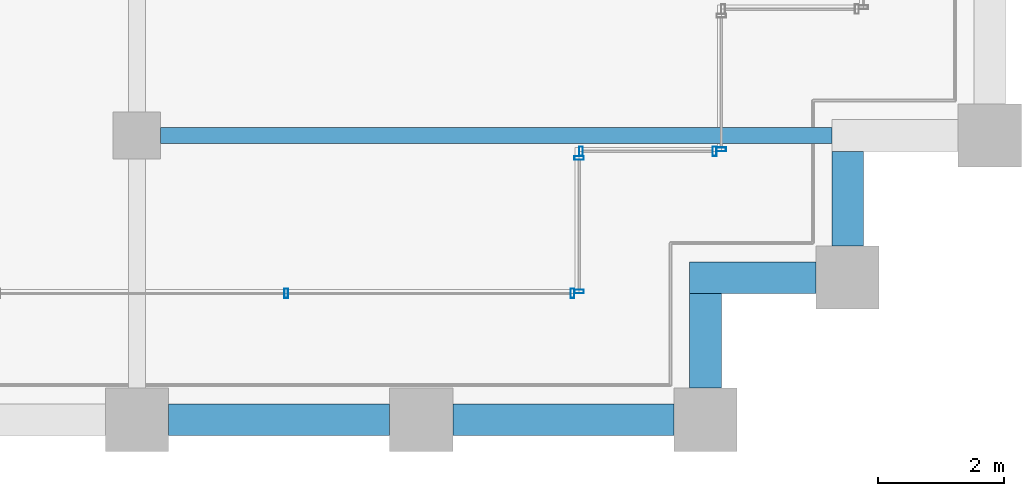
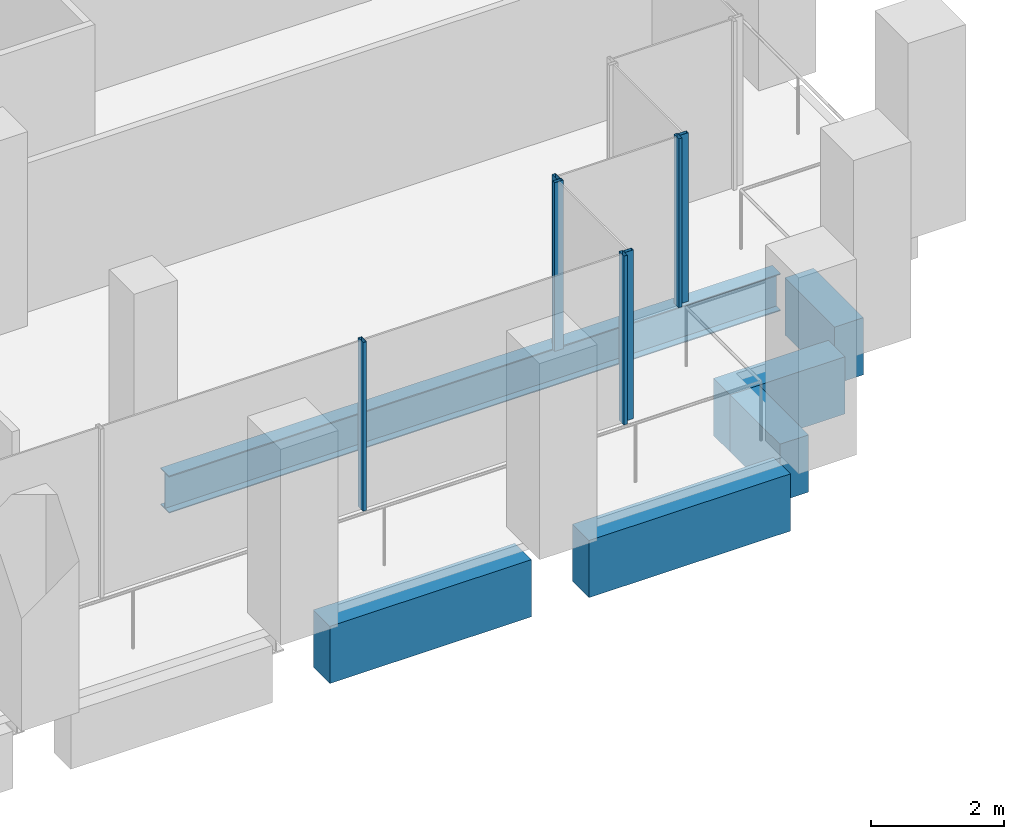
# One storey, part 12 of 46: 7 members, 6 beams, 4 elements without a shape of their own.
"""IFC4 building model written with IfcOpenShell, lengths in metres."""

from ifc_helpers import new_model, si_unit, direction, frame, origin, origin_2d, place, context, subcontext, project, spatial, rectangle, hollow_rectangle, i_section, extrude, material, material_profile, profile_set, type_object, element, aggregate, save


model = new_model("IFC4")

# Units and contexts
model_context = context("Model", 3, precision=1e-05, world=origin(), true_north=direction((0.0, 1.0)))
body_context = subcontext(model_context, "Body", "Model", "MODEL_VIEW")
ifc_project = project(units=[si_unit("LENGTHUNIT", "METRE"), si_unit("AREAUNIT", "SQUARE_METRE"), si_unit("VOLUMEUNIT", "CUBIC_METRE"), si_unit("PLANEANGLEUNIT", "RADIAN"), si_unit("MASSUNIT", "GRAM", prefix="KILO")], contexts=[model_context])

# Site, building, storey
site_placement = place(None, origin())
site = spatial("IfcSite", under=ifc_project, at=site_placement, CompositionType="ELEMENT")
building_placement = place(site_placement, origin())
building = spatial("IfcBuilding", under=site, at=building_placement, Name="Altepetl Exchange Towers", CompositionType="ELEMENT")
storey_placement = place(building_placement, frame((0.0, 0.0, 131.60009765625)))
storey = spatial("IfcBuildingStorey", under=building, at=storey_placement, Name="L32", CompositionType="ELEMENT", Elevation=131.60009765625)

# Beam
ifc_material_1 = material(Name="Steel S355", Category="steel")
ifc_material_profile_1 = material_profile(ifc_material_1, i_section(OverallWidth=0.25390625, OverallDepth=0.68408203125, WebThickness=0.012451171875, FlangeThickness=0.018798828125, at=origin_2d()), Name="W27X94")
ifc_profile_set_1 = profile_set([ifc_material_profile_1], Name="Steel S355")
beam_type_1 = type_object("IfcBeamType", Name="Floor beam W27X94", PredefinedType="BEAM", material=ifc_profile_set_1)
beam_1_placement = place(storey_placement, frame((58.875, 31.5, -0.4921875), z_axis=(1.0, 0.0, 0.0), x_axis=(0.0, 1.0, 0.0)))
element("IfcBeam", 1, at=beam_1_placement, inside=storey, type_object=beam_type_1, Name="bm:A:L32:006", PredefinedType="BEAM", context=body_context, shape_type="SweptSolid", body=[
    extrude(i_section(OverallWidth=0.25390625, OverallDepth=0.68408203125, WebThickness=0.012451171875, FlangeThickness=0.018798828125, at=origin_2d()), origin(), (0.0, 0.0, 1.0), 10.625),
])

# Curtain wall, members
ifc_material_2 = material(Name="Aluminium 6063-T6 glazing", Category="aluminium")
curtain_wall_type = type_object("IfcCurtainWallType", Name="Loggia glazing system", PredefinedType="NOTDEFINED", material=ifc_material_2)
curtain_wall_1_placement = place(storey_placement, origin())
curtain_wall_1 = element("IfcCurtainWall", 2, at=curtain_wall_1_placement, inside=storey, type_object=curtain_wall_type, Name="CW1 run", PredefinedType="NOTDEFINED")
ifc_material_3 = material(Name="Aluminium 6063-T6", Category="aluminium")
ifc_material_profile_2 = material_profile(ifc_material_3, hollow_rectangle(XDim=0.06005859375, YDim=0.14990234375, WallThickness=0.0029296875, at=origin_2d()), Name="Mullion 60x150 aluminium")
ifc_profile_set_2 = profile_set([ifc_material_profile_2], Name="Aluminium 6063-T6")
member_type = type_object("IfcMemberType", Name="Mullion 60x150 aluminium", PredefinedType="MULLION", material=ifc_profile_set_2)
member_1_placement = place(storey_placement, frame((60.8642578125, 29.0, 0.0)))
member_1 = element("IfcMember", 3, at=member_1_placement, type_object=member_type, Name="MU1 mullion", PredefinedType="MULLION", context=body_context, shape_type="SweptSolid", body=[
    extrude(hollow_rectangle(XDim=0.06005859375, YDim=0.14990234375, WallThickness=0.0029296875, at=origin_2d()), origin(), (0.0, 0.0, 1.0), 3.099853515625),
])
member_2_placement = place(storey_placement, frame((65.39501953125, 29.0, 0.0)))
member_2 = element("IfcMember", 4, at=member_2_placement, type_object=member_type, Name="MU1 mullion", PredefinedType="MULLION", context=body_context, shape_type="SweptSolid", body=[
    extrude(hollow_rectangle(XDim=0.06005859375, YDim=0.14990234375, WallThickness=0.0029296875, at=origin_2d()), origin(), (0.0, 0.0, 1.0), 3.099853515625),
])
aggregate(curtain_wall_1, [member_1, member_2])

curtain_wall_2_placement = place(storey_placement, origin())
curtain_wall_2 = element("IfcCurtainWall", 5, at=curtain_wall_2_placement, inside=storey, type_object=curtain_wall_type, Name="CW1 run", PredefinedType="NOTDEFINED")
member_3_placement = place(storey_placement, frame((65.5, 29.030029296875, 0.0), z_axis=(0.0, 0.0, 1.0), x_axis=(0.0, 1.0, 0.0)))
member_3 = element("IfcMember", 6, at=member_3_placement, type_object=member_type, Name="MU1 mullion", PredefinedType="MULLION", context=body_context, shape_type="SweptSolid", body=[
    extrude(hollow_rectangle(XDim=0.06005859375, YDim=0.14990234375, WallThickness=0.0029296875, at=origin_2d()), origin(), (0.0, 0.0, 1.0), 3.099853515625),
])
member_4_placement = place(storey_placement, frame((65.5, 31.14501953125, 0.0), z_axis=(0.0, 0.0, 1.0), x_axis=(0.0, 1.0, 0.0)))
member_4 = element("IfcMember", 7, at=member_4_placement, type_object=member_type, Name="MU1 mullion", PredefinedType="MULLION", context=body_context, shape_type="SweptSolid", body=[
    extrude(hollow_rectangle(XDim=0.06005859375, YDim=0.14990234375, WallThickness=0.0029296875, at=origin_2d()), origin(), (0.0, 0.0, 1.0), 3.099853515625),
])
aggregate(curtain_wall_2, [member_3, member_4])

curtain_wall_3_placement = place(storey_placement, origin())
curtain_wall_3 = element("IfcCurtainWall", 8, at=curtain_wall_3_placement, inside=storey, type_object=curtain_wall_type, Name="CW1 run", PredefinedType="NOTDEFINED")
member_5_placement = place(storey_placement, frame((65.530029296875, 31.25, 0.0)))
member_5 = element("IfcMember", 9, at=member_5_placement, type_object=member_type, Name="MU1 mullion", PredefinedType="MULLION", context=body_context, shape_type="SweptSolid", body=[
    extrude(hollow_rectangle(XDim=0.06005859375, YDim=0.14990234375, WallThickness=0.0029296875, at=origin_2d()), origin(), (0.0, 0.0, 1.0), 3.099853515625),
])
member_6_placement = place(storey_placement, frame((67.64501953125, 31.25, 0.0)))
member_6 = element("IfcMember", 10, at=member_6_placement, type_object=member_type, Name="MU1 mullion", PredefinedType="MULLION", context=body_context, shape_type="SweptSolid", body=[
    extrude(hollow_rectangle(XDim=0.06005859375, YDim=0.14990234375, WallThickness=0.0029296875, at=origin_2d()), origin(), (0.0, 0.0, 1.0), 3.099853515625),
])
aggregate(curtain_wall_3, [member_5, member_6])

# Curtain wall, member
curtain_wall_4_placement = place(storey_placement, origin())
curtain_wall_4 = element("IfcCurtainWall", 11, at=curtain_wall_4_placement, inside=storey, type_object=curtain_wall_type, Name="CW1 run", PredefinedType="NOTDEFINED")
member_7_placement = place(storey_placement, frame((67.75, 31.280029296875, 0.0), z_axis=(0.0, 0.0, 1.0), x_axis=(0.0, 1.0, 0.0)))
member_7 = element("IfcMember", 12, at=member_7_placement, type_object=member_type, Name="MU1 mullion", PredefinedType="MULLION", context=body_context, shape_type="SweptSolid", body=[
    extrude(hollow_rectangle(XDim=0.06005859375, YDim=0.14990234375, WallThickness=0.0029296875, at=origin_2d()), origin(), (0.0, 0.0, 1.0), 3.099853515625),
])
aggregate(curtain_wall_4, [member_7])

# Beams
ifc_material_4 = material(Name="Concrete C50/60 precast with cantera amarilla facing", Category="concrete")
ifc_material_profile_3 = material_profile(ifc_material_4, rectangle(XDim=0.5, YDim=1.050048828125, at=origin_2d()), Name="500 x 1050")
ifc_profile_set_3 = profile_set([ifc_material_profile_3], Name="Concrete C50/60 precast with cantera amarilla facing")
beam_type_2 = type_object("IfcBeamType", Name="Spandrel beam 500x1050 cantera amarilla", PredefinedType="SPANDREL", material=ifc_profile_set_3)
for number, where, z_axis, x_axis, name in (
    (13, (59.0, 27.0, -0.675048828125), (1.0, 0.0, 0.0), (0.0, 1.0, 0.0), "sp:A:L32:006"),
    (14, (63.5, 27.0, -0.675048828125), (1.0, 0.0, 0.0), (0.0, 1.0, 0.0), "sp:A:L32:007"),
):
    element("IfcBeam", number, at=place(storey_placement, frame(where, z_axis=z_axis, x_axis=x_axis)), inside=storey, type_object=beam_type_2, Name=name, PredefinedType="SPANDREL", context=body_context, shape_type="SweptSolid", body=[
        extrude(rectangle(XDim=0.5, YDim=1.050048828125, at=origin_2d()), origin(), (0.0, 0.0, 1.0), 3.5),
    ])
beam_2_placement = place(storey_placement, frame((67.5, 27.5, -0.675048828125), z_axis=(0.0, 1.0, 0.0), x_axis=(-1.0, 0.0, 0.0)))
element("IfcBeam", 15, at=beam_2_placement, inside=storey, type_object=beam_type_2, Name="sp:A:L32:008", PredefinedType="SPANDREL", context=body_context, shape_type="SweptSolid", body=[
    extrude(rectangle(XDim=0.5, YDim=1.050048828125, at=origin_2d()), origin(), (0.0, 0.0, 1.0), 1.5),
])
beam_3_placement = place(storey_placement, frame((67.25, 29.25, -0.675048828125), z_axis=(1.0, 0.0, 0.0), x_axis=(0.0, 1.0, 0.0)))
element("IfcBeam", 16, at=beam_3_placement, inside=storey, type_object=beam_type_2, Name="sp:A:L32:009", PredefinedType="SPANDREL", context=body_context, shape_type="SweptSolid", body=[
    extrude(rectangle(XDim=0.5, YDim=1.050048828125, at=origin_2d()), origin(), (0.0, 0.0, 1.0), 2.0),
])
beam_4_placement = place(storey_placement, frame((69.75, 29.75, -0.675048828125), z_axis=(0.0, 1.0, 0.0), x_axis=(-1.0, 0.0, 0.0)))
element("IfcBeam", 17, at=beam_4_placement, inside=storey, type_object=beam_type_2, Name="sp:A:L32:010", PredefinedType="SPANDREL", context=body_context, shape_type="SweptSolid", body=[
    extrude(rectangle(XDim=0.5, YDim=1.050048828125, at=origin_2d()), origin(), (0.0, 0.0, 1.0), 1.5),
])

save(model, "model.ifc")
